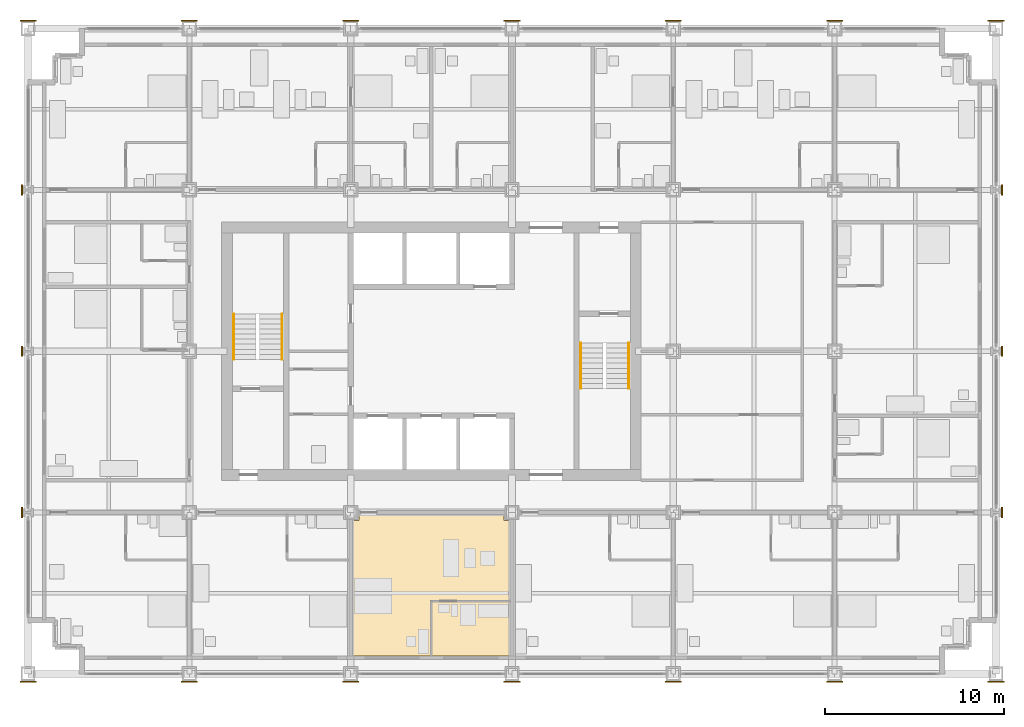
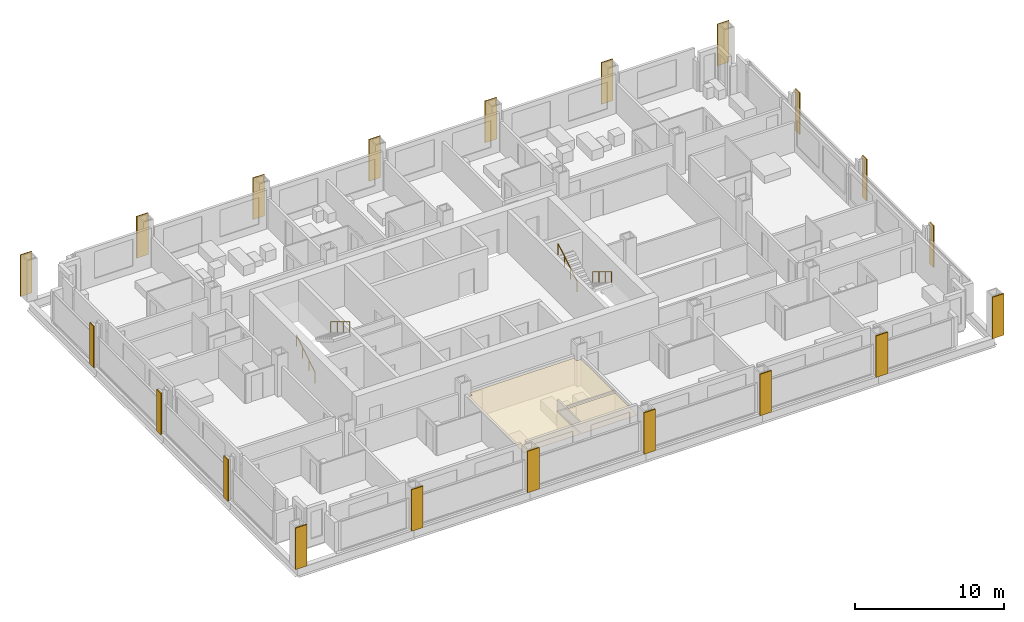
# One storey, part 16 of 18: 22 coverings, 4 railings.
"""IFC4 building model written with IfcOpenShell, lengths in metres."""

from ifc_helpers import new_model, si_unit, direction, frame, origin, origin_2d, place, context, subcontext, project, spatial, polyline, rectangle, circle, outline, extrude, material, layer, layer_set, type_object, element, save


model = new_model("IFC4")

# Units and contexts
model_context = context("Model", 3, precision=1e-05, world=origin(), true_north=direction((0.0, 1.0)))
body_context = subcontext(model_context, "Body", "Model", "MODEL_VIEW")
ifc_project = project(units=[si_unit("LENGTHUNIT", "METRE"), si_unit("AREAUNIT", "SQUARE_METRE"), si_unit("VOLUMEUNIT", "CUBIC_METRE"), si_unit("PLANEANGLEUNIT", "RADIAN"), si_unit("MASSUNIT", "GRAM", prefix="KILO")], contexts=[model_context])

# Site, building, storey
site_placement = place(None, origin())
site = spatial("IfcSite", under=ifc_project, at=site_placement, CompositionType="ELEMENT")
building_placement = place(site_placement, origin())
building = spatial("IfcBuilding", under=site, at=building_placement, Name="Loomwork Tower", CompositionType="ELEMENT")
storey_placement = place(building_placement, frame((0.0, 0.0, 41.60009765625)))
storey = spatial("IfcBuildingStorey", under=building, at=storey_placement, Name="L09", CompositionType="ELEMENT", Elevation=41.60009765625)

# Railings
ifc_material_1 = material(Name="Stainless steel handrail", Category="steel")
railing_type = type_object("IfcRailingType", Name="Handrail 900", PredefinedType="HANDRAIL", material=ifc_material_1)
railing_1_placement = place(storey_placement, frame((11.485107421875, 17.550048828125, 0.169921875)))
element("IfcRailing", 1, at=railing_1_placement, inside=storey, type_object=railing_type, Name="Stair A handrail flight 1 L09", PredefinedType="HANDRAIL", context=body_context, shape_type="SweptSolid", body=[
    extrude(circle(Radius=0.02392578125, at=origin_2d()), frame((0.0, 0.0, 0.8759765625), z_axis=(0.0, 0.85478489116, 0.518982456201), x_axis=(-1.0, 0.0, 0.0)), (0.0, 0.0, 1.0), 2.9482421875),
    extrude(circle(Radius=0.02099609375, at=origin_2d()), origin(), (0.0, 0.0, 1.0), 0.851806640625),
    extrude(circle(Radius=0.02099609375, at=origin_2d()), frame((0.0, 0.840087890625, 0.510009765625)), (0.0, 0.0, 1.0), 0.851806640625),
    extrude(circle(Radius=0.02099609375, at=origin_2d()), frame((0.0, 1.679931640625, 1.02001953125)), (0.0, 0.0, 1.0), 0.851806640625),
    extrude(circle(Radius=0.02099609375, at=origin_2d()), frame((0.0, 2.52001953125, 1.530029296875)), (0.0, 0.0, 1.0), 0.851806640625),
])
for number, where, name in (
    (2, (14.1650390625, 20.070068359375, 1.869873046875), "Stair A handrail flight 2 L09"),
    (3, (33.514892578125, 18.449951171875, 0.169921875), "Stair B handrail flight 1 L09"),
):
    element("IfcRailing", number, at=place(storey_placement, frame(where)), inside=storey, type_object=railing_type, Name=name, PredefinedType="HANDRAIL", context=body_context, shape_type="SweptSolid", body=[
        extrude(circle(Radius=0.02392578125, at=origin_2d()), frame((0.0, 0.0, 0.8759765625), z_axis=(0.0, -0.85478489116, 0.518982456201), x_axis=(1.0, 0.0, 0.0)), (0.0, 0.0, 1.0), 2.9482421875),
        extrude(circle(Radius=0.02099609375, at=origin_2d()), origin(), (0.0, 0.0, 1.0), 0.851806640625),
        extrude(circle(Radius=0.02099609375, at=origin_2d()), frame((0.0, -0.840087890625, 0.510009765625)), (0.0, 0.0, 1.0), 0.851806640625),
        extrude(circle(Radius=0.02099609375, at=origin_2d()), frame((0.0, -1.679931640625, 1.02001953125)), (0.0, 0.0, 1.0), 0.851806640625),
        extrude(circle(Radius=0.02099609375, at=origin_2d()), frame((0.0, -2.52001953125, 1.530029296875)), (0.0, 0.0, 1.0), 0.851806640625),
    ])
railing_2_placement = place(storey_placement, frame((30.8349609375, 15.929931640625, 1.869873046875)))
element("IfcRailing", 4, at=railing_2_placement, inside=storey, type_object=railing_type, Name="Stair B handrail flight 2 L09", PredefinedType="HANDRAIL", context=body_context, shape_type="SweptSolid", body=[
    extrude(circle(Radius=0.02392578125, at=origin_2d()), frame((0.0, 0.0, 0.8759765625), z_axis=(0.0, 0.85478489116, 0.518982456201), x_axis=(-1.0, 0.0, 0.0)), (0.0, 0.0, 1.0), 2.9482421875),
    extrude(circle(Radius=0.02099609375, at=origin_2d()), origin(), (0.0, 0.0, 1.0), 0.851806640625),
    extrude(circle(Radius=0.02099609375, at=origin_2d()), frame((0.0, 0.840087890625, 0.510009765625)), (0.0, 0.0, 1.0), 0.851806640625),
    extrude(circle(Radius=0.02099609375, at=origin_2d()), frame((0.0, 1.679931640625, 1.02001953125)), (0.0, 0.0, 1.0), 0.851806640625),
    extrude(circle(Radius=0.02099609375, at=origin_2d()), frame((0.0, 2.52001953125, 1.530029296875)), (0.0, 0.0, 1.0), 0.851806640625),
])

# Coverings
ifc_material_2 = material(Name="Limestone", Category="masonry")
ifc_layer_1 = layer(ifc_material_2, 0.080078125)
ifc_layer_set_1 = layer_set([ifc_layer_1], Name="Limestone pier facing 80")
covering_type_1 = type_object("IfcCoveringType", Name="Limestone pier facing 80", PredefinedType="CLADDING", material=ifc_layer_set_1)
covering_1_placement = place(storey_placement, frame((0.0, -0.43994140625, 0.0), z_axis=(0.0, 0.0, 1.0), x_axis=(1.0, 0.0, 0.0)))
element("IfcCovering", 5, at=covering_1_placement, inside=storey, type_object=covering_type_1, Name="Pier facing D/2 L09", PredefinedType="CLADDING", context=body_context, shape_type="SweptSolid", body=[
    extrude(rectangle(XDim=0.89990234375, YDim=0.080078125, at=origin_2d()), origin(), (0.0, 0.0, 1.0), 3.39990234375),
])
for number, where, z_axis, x_axis, name in (
    (6, (-0.339599609375, 9.0, 0.0), (0.0, 0.0, 1.0), (1.0, 0.0, 0.0), "Pier facing E/2 L09"),
    (7, (-0.339599609375, 18.0, 0.0), (0.0, 0.0, 1.0), (1.0, 0.0, 0.0), "Pier facing F/2 L09"),
    (8, (-0.339599609375, 27.0, 0.0), (0.0, 0.0, 1.0), (1.0, 0.0, 0.0), "Pier facing G/2 L09"),
):
    element("IfcCovering", number, at=place(storey_placement, frame(where, z_axis=z_axis, x_axis=x_axis)), inside=storey, type_object=covering_type_1, Name=name, PredefinedType="CLADDING", context=body_context, shape_type="SweptSolid", body=[
        extrude(rectangle(XDim=0.080078125, YDim=0.577392578125, at=origin_2d()), origin(), (0.0, 0.0, 1.0), 3.39990234375),
    ])
for number, where, z_axis, x_axis, name in (
    (9, (0.0, 36.43994140625, 0.0), (0.0, 0.0, 1.0), (1.0, 0.0, 0.0), "Pier facing H/2 L09"),
    (10, (9.0, -0.43994140625, 0.0), (0.0, 0.0, 1.0), (1.0, 0.0, 0.0), "Pier facing D/3 L09"),
    (11, (9.0, 36.43994140625, 0.0), (0.0, 0.0, 1.0), (1.0, 0.0, 0.0), "Pier facing H/3 L09"),
    (12, (18.0, -0.43994140625, 0.0), (0.0, 0.0, 1.0), (1.0, 0.0, 0.0), "Pier facing D/4 L09"),
    (13, (18.0, 36.43994140625, 0.0), (0.0, 0.0, 1.0), (1.0, 0.0, 0.0), "Pier facing H/4 L09"),
    (14, (27.0, -0.43994140625, 0.0), (0.0, 0.0, 1.0), (1.0, 0.0, 0.0), "Pier facing D/5 L09"),
    (15, (27.0, 36.43994140625, 0.0), (0.0, 0.0, 1.0), (1.0, 0.0, 0.0), "Pier facing H/5 L09"),
    (16, (36.0, -0.43994140625, 0.0), (0.0, 0.0, 1.0), (1.0, 0.0, 0.0), "Pier facing D/6 L09"),
    (17, (36.0, 36.43994140625, 0.0), (0.0, 0.0, 1.0), (1.0, 0.0, 0.0), "Pier facing H/6 L09"),
    (18, (45.0, -0.43994140625, 0.0), (0.0, 0.0, 1.0), (1.0, 0.0, 0.0), "Pier facing D/7 L09"),
    (19, (45.0, 36.43994140625, 0.0), (0.0, 0.0, 1.0), (1.0, 0.0, 0.0), "Pier facing H/7 L09"),
    (20, (54.0, -0.43994140625, 0.0), (0.0, 0.0, 1.0), (1.0, 0.0, 0.0), "Pier facing D/8 L09"),
):
    element("IfcCovering", number, at=place(storey_placement, frame(where, z_axis=z_axis, x_axis=x_axis)), inside=storey, type_object=covering_type_1, Name=name, PredefinedType="CLADDING", context=body_context, shape_type="SweptSolid", body=[
        extrude(rectangle(XDim=0.89990234375, YDim=0.080078125, at=origin_2d()), origin(), (0.0, 0.0, 1.0), 3.39990234375),
    ])
for number, where, z_axis, x_axis, name in (
    (21, (54.339599609375, 9.0, 0.0), (0.0, 0.0, 1.0), (1.0, 0.0, 0.0), "Pier facing E/8 L09"),
    (22, (54.339599609375, 18.0, 0.0), (0.0, 0.0, 1.0), (1.0, 0.0, 0.0), "Pier facing F/8 L09"),
    (23, (54.339599609375, 27.0, 0.0), (0.0, 0.0, 1.0), (1.0, 0.0, 0.0), "Pier facing G/8 L09"),
):
    element("IfcCovering", number, at=place(storey_placement, frame(where, z_axis=z_axis, x_axis=x_axis)), inside=storey, type_object=covering_type_1, Name=name, PredefinedType="CLADDING", context=body_context, shape_type="SweptSolid", body=[
        extrude(rectangle(XDim=0.080078125, YDim=0.577392578125, at=origin_2d()), origin(), (0.0, 0.0, 1.0), 3.39990234375),
    ])
covering_2_placement = place(storey_placement, frame((54.0, 36.43994140625, 0.0), z_axis=(0.0, 0.0, 1.0), x_axis=(1.0, 0.0, 0.0)))
element("IfcCovering", 24, at=covering_2_placement, inside=storey, type_object=covering_type_1, Name="Pier facing H/8 L09", PredefinedType="CLADDING", context=body_context, shape_type="SweptSolid", body=[
    extrude(rectangle(XDim=0.89990234375, YDim=0.080078125, at=origin_2d()), origin(), (0.0, 0.0, 1.0), 3.39990234375),
])
ifc_material_3 = material(Name="Mineral fibre acoustic tile on suspension grid")
ifc_layer_2 = layer(ifc_material_3, 0.02490234375)
ifc_layer_set_2 = layer_set([ifc_layer_2], Name="Suspended acoustic ceiling")
covering_type_2 = type_object("IfcCoveringType", Name="Suspended acoustic ceiling", PredefinedType="CEILING", material=ifc_layer_set_2)
covering_3_placement = place(storey_placement, frame((0.0, 0.0, 2.1748046875)))
element("IfcCovering", 25, at=covering_3_placement, inside=storey, type_object=covering_type_2, Name="Ceiling Spa bathroom L09", PredefinedType="CEILING", context=body_context, shape_type="SweptSolid", body=[
    extrude(outline(polyline([(26.89990234375, 4.0), (26.89990234375, 1.0), (22.550048828125, 1.0), (22.550048828125, 4.0), (26.89990234375, 4.0)])), origin(), (0.0, 0.0, 1.0), 0.025146484375),
])
covering_4_placement = place(storey_placement, frame((0.0, 0.0, 2.1748046875)))
element("IfcCovering", 26, at=covering_4_placement, inside=storey, type_object=covering_type_2, Name="Ceiling Spa suite L09", PredefinedType="CEILING", context=body_context, shape_type="SweptSolid", body=[
    extrude(outline(polyline([(26.550048828125, 8.89990234375), (26.550048828125, 8.550048828125), (26.89990234375, 8.550048828125), (26.89990234375, 4.10009765625), (22.449951171875, 4.10009765625), (22.449951171875, 1.0), (18.10009765625, 1.0), (18.10009765625, 8.550048828125), (18.449951171875, 8.550048828125), (18.449951171875, 8.89990234375), (26.550048828125, 8.89990234375)])), origin(), (0.0, 0.0, 1.0), 0.025146484375),
])

save(model, "model.ifc")
